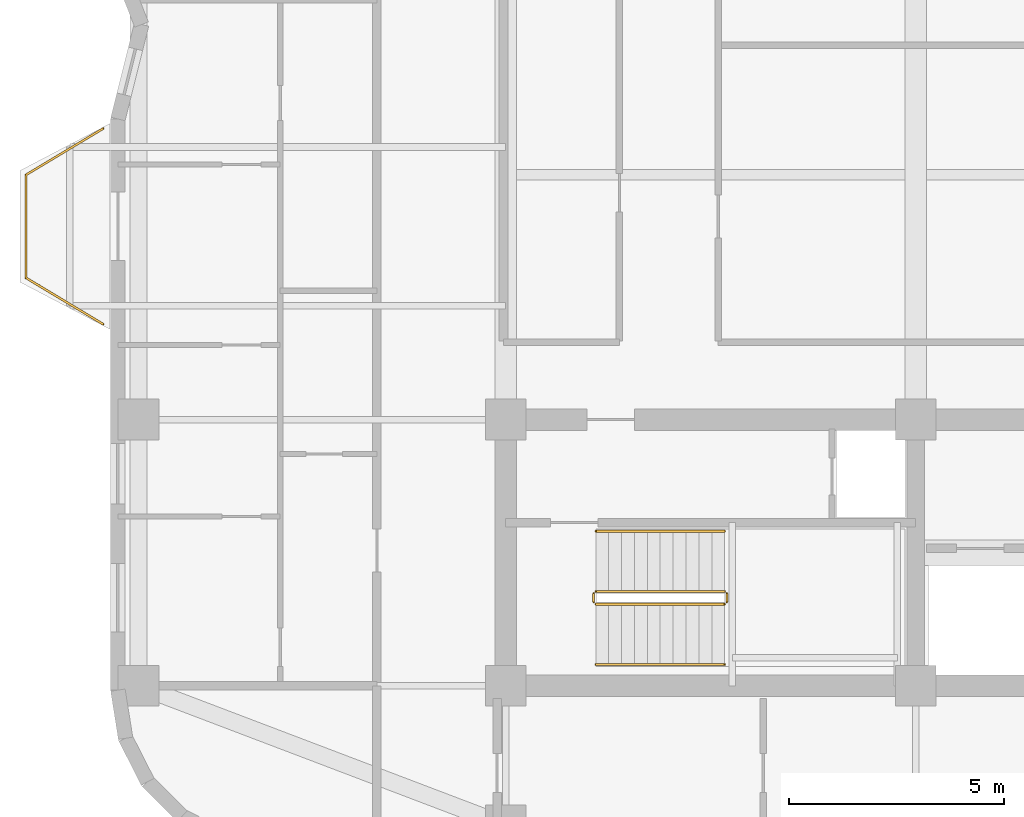
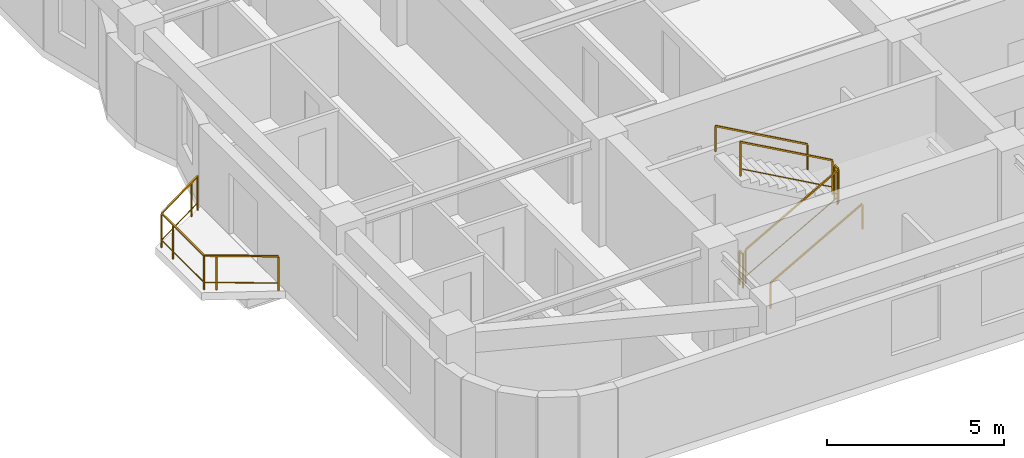
# One storey, part 7 of 8: 7 railings.
"""IFC4 building model written with IfcOpenShell, lengths in metres."""

from ifc_helpers import new_model, si_unit, direction, frame, origin, origin_2d, place, context, subcontext, project, spatial, rectangle, extrude, material, type_object, element, save


model = new_model("IFC4")

# Units and contexts
model_context = context("Model", 3, precision=1e-05, world=origin(), true_north=direction((0.0, 1.0)))
body_context = subcontext(model_context, "Body", "Model", "MODEL_VIEW")
ifc_project = project(units=[si_unit("LENGTHUNIT", "METRE"), si_unit("AREAUNIT", "SQUARE_METRE"), si_unit("VOLUMEUNIT", "CUBIC_METRE"), si_unit("PLANEANGLEUNIT", "RADIAN"), si_unit("MASSUNIT", "GRAM", prefix="KILO")], contexts=[model_context])

# Site, building, storey
site_placement = place(None, origin())
site = spatial("IfcSite", under=ifc_project, at=site_placement, CompositionType="ELEMENT")
building_placement = place(site_placement, origin())
building = spatial("IfcBuilding", under=site, at=building_placement, Name="Svetorya Sky Lyceum", CompositionType="ELEMENT")
storey_placement = place(building_placement, frame((0.0, 0.0, 147.800048828125)))
storey = spatial("IfcBuildingStorey", under=building, at=storey_placement, Name="L36", CompositionType="ELEMENT", Elevation=147.800048828125)

# Railings
ifc_material_1 = material(Name="Laminated safety glass and stainless AISI 316", Category="glass")
railing_type_1 = type_object("IfcRailingType", Name="RL-BAL-1200", PredefinedType="BALUSTRADE", material=ifc_material_1)
railing_1_placement = place(storey_placement, frame((16.22998046875, 19.02001953125, 0.0)))
element("IfcRailing", 1, at=railing_1_placement, inside=storey, type_object=railing_type_1, Name="L36 Balcony Balustrade BAL-W1", PredefinedType="BALUSTRADE", context=body_context, shape_type="SweptSolid", body=[
    extrude(rectangle(XDim=0.048095703125, YDim=0.048095703125, at=origin_2d()), frame((0.0, 0.0, 1.17578125), z_axis=(-0.857482663744, 0.514512858321, 0.0), x_axis=(-0.514512858321, -0.857482663744, 0.0)), (0.0, 0.0, 1.0), 2.09912109375),
    extrude(rectangle(XDim=0.02392578125, YDim=0.02392578125, at=origin_2d()), frame((0.0, 0.0, 0.25), z_axis=(-0.857482663744, 0.514512858321, 0.0), x_axis=(-0.514512858321, -0.857482663744, 0.0)), (0.0, 0.0, 1.0), 2.09912109375),
    extrude(rectangle(XDim=0.048095703125, YDim=0.048095703125, at=origin_2d()), frame((-1.800048828125, 1.080078125, 1.17578125), z_axis=(0.0, 1.0, 0.0), x_axis=(-1.0, 0.0, 0.0)), (0.0, 0.0, 1.0), 2.39990234375),
    extrude(rectangle(XDim=0.02392578125, YDim=0.02392578125, at=origin_2d()), frame((-1.800048828125, 1.080078125, 0.25), z_axis=(0.0, 1.0, 0.0), x_axis=(-1.0, 0.0, 0.0)), (0.0, 0.0, 1.0), 2.39990234375),
    extrude(rectangle(XDim=0.048095703125, YDim=0.048095703125, at=origin_2d()), frame((-1.800048828125, 3.47998046875, 1.17578125), z_axis=(0.857482663744, 0.514512858321, 0.0), x_axis=(-0.514512858321, 0.857482663744, 0.0)), (0.0, 0.0, 1.0), 2.09912109375),
    extrude(rectangle(XDim=0.02392578125, YDim=0.02392578125, at=origin_2d()), frame((-1.800048828125, 3.47998046875, 0.25), z_axis=(0.857482663744, 0.514512858321, 0.0), x_axis=(-0.514512858321, 0.857482663744, 0.0)), (0.0, 0.0, 1.0), 2.09912109375),
    extrude(rectangle(XDim=0.0419921875, YDim=0.0419921875, at=origin_2d()), origin(), (0.0, 0.0, 1.0), 1.15185546875),
    extrude(rectangle(XDim=0.0419921875, YDim=0.0419921875, at=origin_2d()), frame((-1.50048828125, 0.900390625, 0.0)), (0.0, 0.0, 1.0), 1.15185546875),
    extrude(rectangle(XDim=0.0419921875, YDim=0.0419921875, at=origin_2d()), frame((-1.800048828125, 1.080078125, 0.0)), (0.0, 0.0, 1.0), 1.15185546875),
    extrude(rectangle(XDim=0.0419921875, YDim=0.0419921875, at=origin_2d()), frame((-1.800048828125, 2.830078125, 0.0)), (0.0, 0.0, 1.0), 1.15185546875),
    extrude(rectangle(XDim=0.0419921875, YDim=0.0419921875, at=origin_2d()), frame((-1.800048828125, 3.47998046875, 0.0)), (0.0, 0.0, 1.0), 1.15185546875),
    extrude(rectangle(XDim=0.0419921875, YDim=0.0419921875, at=origin_2d()), frame((-0.299560546875, 4.38037109375, 0.0)), (0.0, 0.0, 1.0), 1.15185546875),
    extrude(rectangle(XDim=0.0419921875, YDim=0.0419921875, at=origin_2d()), frame((0.0, 4.56005859375, 0.0)), (0.0, 0.0, 1.0), 1.15185546875),
])
ifc_material_2 = material(Name="Painted galvanized stair well guard")
railing_type_2 = type_object("IfcRailingType", Name="RL-STR-GUARD-1200", PredefinedType="GUARDRAIL", material=ifc_material_2)
railing_2_placement = place(storey_placement, frame((27.699951171875, 12.5, 0.168212890625)))
element("IfcRailing", 2, at=railing_2_placement, inside=storey, type_object=railing_type_2, Name="L36 ST-S stair guard 1", PredefinedType="GUARDRAIL", context=body_context, shape_type="SweptSolid", body=[
    extrude(rectangle(XDim=0.048095703125, YDim=0.048095703125, at=origin_2d()), frame((0.0, 0.0, 1.17578125), z_axis=(0.872302573547, 0.0, 0.488966481656), x_axis=(0.0, 1.0, 0.0)), (0.0, 0.0, 1.0), 3.439208984375),
    extrude(rectangle(XDim=0.02392578125, YDim=0.02392578125, at=origin_2d()), frame((0.0, 0.0, 0.25), z_axis=(0.872302573547, 0.0, 0.488966481656), x_axis=(0.0, 1.0, 0.0)), (0.0, 0.0, 1.0), 3.439208984375),
    extrude(rectangle(XDim=0.0419921875, YDim=0.0419921875, at=origin_2d()), origin(), (0.0, 0.0, 1.0), 1.15185546875),
    extrude(rectangle(XDim=0.0419921875, YDim=0.0419921875, at=origin_2d()), frame((3.0, 0.0, 1.681640625)), (0.0, 0.0, 1.0), 1.15185546875),
])
railing_3_placement = place(storey_placement, frame((30.75, 12.550048828125, 1.849853515625)))
element("IfcRailing", 3, at=railing_3_placement, inside=storey, type_object=railing_type_2, Name="L36 ST-S stair guard 2", PredefinedType="GUARDRAIL", context=body_context, shape_type="SweptSolid", body=[
    extrude(rectangle(XDim=0.048095703125, YDim=0.048095703125, at=origin_2d()), frame((0.0, 0.0, 1.17578125), z_axis=(0.0, 1.0, 0.0), x_axis=(-1.0, 0.0, 0.0)), (0.0, 0.0, 1.0), 0.199951171875),
    extrude(rectangle(XDim=0.02392578125, YDim=0.02392578125, at=origin_2d()), frame((0.0, 0.0, 0.25), z_axis=(0.0, 1.0, 0.0), x_axis=(-1.0, 0.0, 0.0)), (0.0, 0.0, 1.0), 0.199951171875),
    extrude(rectangle(XDim=0.0419921875, YDim=0.0419921875, at=origin_2d()), origin(), (0.0, 0.0, 1.0), 1.15185546875),
    extrude(rectangle(XDim=0.0419921875, YDim=0.0419921875, at=origin_2d()), frame((0.0, 0.199951171875, 0.0)), (0.0, 0.0, 1.0), 1.15185546875),
])
railing_4_placement = place(storey_placement, frame((30.699951171875, 12.800048828125, 2.01806640625)))
element("IfcRailing", 4, at=railing_4_placement, inside=storey, type_object=railing_type_2, Name="L36 ST-S stair guard 3", PredefinedType="GUARDRAIL", context=body_context, shape_type="SweptSolid", body=[
    extrude(rectangle(XDim=0.048095703125, YDim=0.048095703125, at=origin_2d()), frame((0.0, 0.0, 1.17578125), z_axis=(-0.872272294576, 0.0, 0.489020494575), x_axis=(0.0, -1.0, 0.0)), (0.0, 0.0, 1.0), 3.439208984375),
    extrude(rectangle(XDim=0.02392578125, YDim=0.02392578125, at=origin_2d()), frame((0.0, 0.0, 0.25), z_axis=(-0.872272294576, 0.0, 0.489020494575), x_axis=(0.0, -1.0, 0.0)), (0.0, 0.0, 1.0), 3.439208984375),
    extrude(rectangle(XDim=0.0419921875, YDim=0.0419921875, at=origin_2d()), origin(), (0.0, 0.0, 1.0), 1.15185546875),
    extrude(rectangle(XDim=0.0419921875, YDim=0.0419921875, at=origin_2d()), frame((-3.0, 0.0, 1.681884765625)), (0.0, 0.0, 1.0), 1.15185546875),
])
railing_5_placement = place(storey_placement, frame((27.64990234375, 12.550048828125, 0.0)))
element("IfcRailing", 5, at=railing_5_placement, inside=storey, type_object=railing_type_2, Name="L36 ST-S stair guard 4", PredefinedType="GUARDRAIL", context=body_context, shape_type="SweptSolid", body=[
    extrude(rectangle(XDim=0.048095703125, YDim=0.048095703125, at=origin_2d()), frame((0.0, 0.0, 1.17578125), z_axis=(0.0, 1.0, 0.0), x_axis=(-1.0, 0.0, 0.0)), (0.0, 0.0, 1.0), 0.199951171875),
    extrude(rectangle(XDim=0.02392578125, YDim=0.02392578125, at=origin_2d()), frame((0.0, 0.0, 0.25), z_axis=(0.0, 1.0, 0.0), x_axis=(-1.0, 0.0, 0.0)), (0.0, 0.0, 1.0), 0.199951171875),
    extrude(rectangle(XDim=0.0419921875, YDim=0.0419921875, at=origin_2d()), origin(), (0.0, 0.0, 1.0), 1.15185546875),
    extrude(rectangle(XDim=0.0419921875, YDim=0.0419921875, at=origin_2d()), frame((0.0, 0.199951171875, 0.0)), (0.0, 0.0, 1.0), 1.15185546875),
])
ifc_material_3 = material(Name="Brushed stainless AISI 304 stair handrail")
railing_type_3 = type_object("IfcRailingType", Name="RL-STR-HAND-920", PredefinedType="HANDRAIL", material=ifc_material_3)
railing_6_placement = place(storey_placement, frame((27.699951171875, 11.10009765625, 0.168212890625)))
element("IfcRailing", 6, at=railing_6_placement, inside=storey, type_object=railing_type_3, Name="L36 ST-S stair handrail 1", PredefinedType="HANDRAIL", context=body_context, shape_type="SweptSolid", body=[
    extrude(rectangle(XDim=0.048095703125, YDim=0.048095703125, at=origin_2d()), frame((0.0, 0.0, 0.8759765625), z_axis=(0.872302573547, 0.0, 0.488966481656), x_axis=(0.0, 1.0, 0.0)), (0.0, 0.0, 1.0), 3.439208984375),
    extrude(rectangle(XDim=0.0419921875, YDim=0.0419921875, at=origin_2d()), origin(), (0.0, 0.0, 1.0), 0.851806640625),
    extrude(rectangle(XDim=0.0419921875, YDim=0.0419921875, at=origin_2d()), frame((3.0, 0.0, 1.681640625)), (0.0, 0.0, 1.0), 0.851806640625),
])
railing_7_placement = place(storey_placement, frame((30.699951171875, 14.199951171875, 2.01806640625)))
element("IfcRailing", 7, at=railing_7_placement, inside=storey, type_object=railing_type_3, Name="L36 ST-S stair handrail 2", PredefinedType="HANDRAIL", context=body_context, shape_type="SweptSolid", body=[
    extrude(rectangle(XDim=0.048095703125, YDim=0.048095703125, at=origin_2d()), frame((0.0, 0.0, 0.8759765625), z_axis=(-0.872272294576, 0.0, 0.489020494575), x_axis=(0.0, -1.0, 0.0)), (0.0, 0.0, 1.0), 3.439208984375),
    extrude(rectangle(XDim=0.0419921875, YDim=0.0419921875, at=origin_2d()), origin(), (0.0, 0.0, 1.0), 0.851806640625),
    extrude(rectangle(XDim=0.0419921875, YDim=0.0419921875, at=origin_2d()), frame((-3.0, 0.0, 1.681884765625)), (0.0, 0.0, 1.0), 0.851806640625),
])

save(model, "model.ifc")
